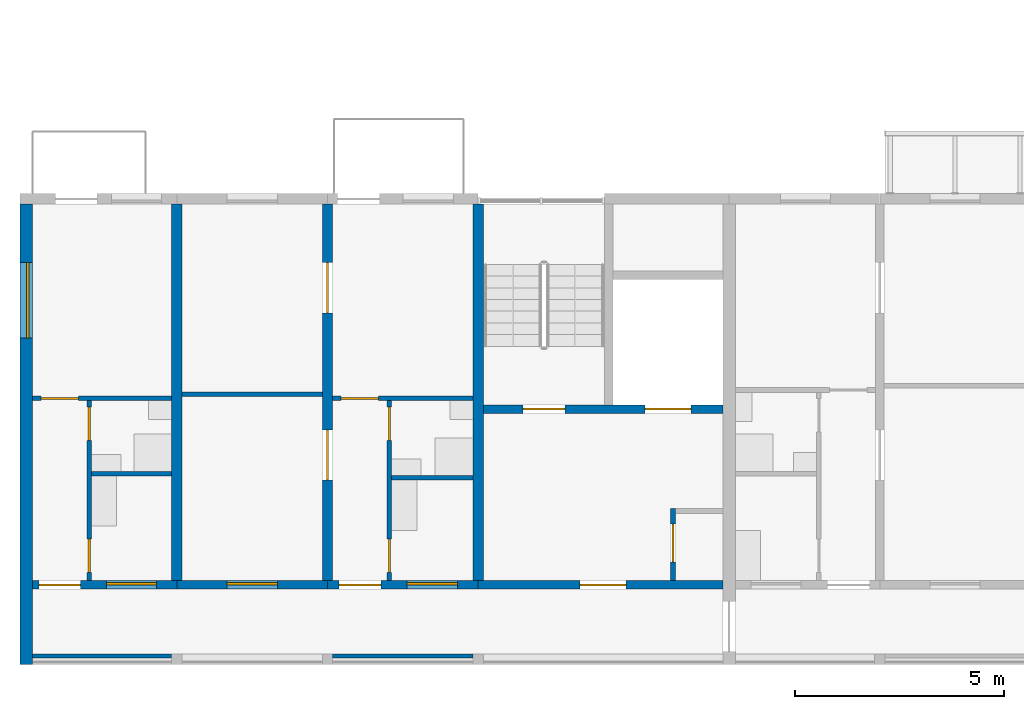
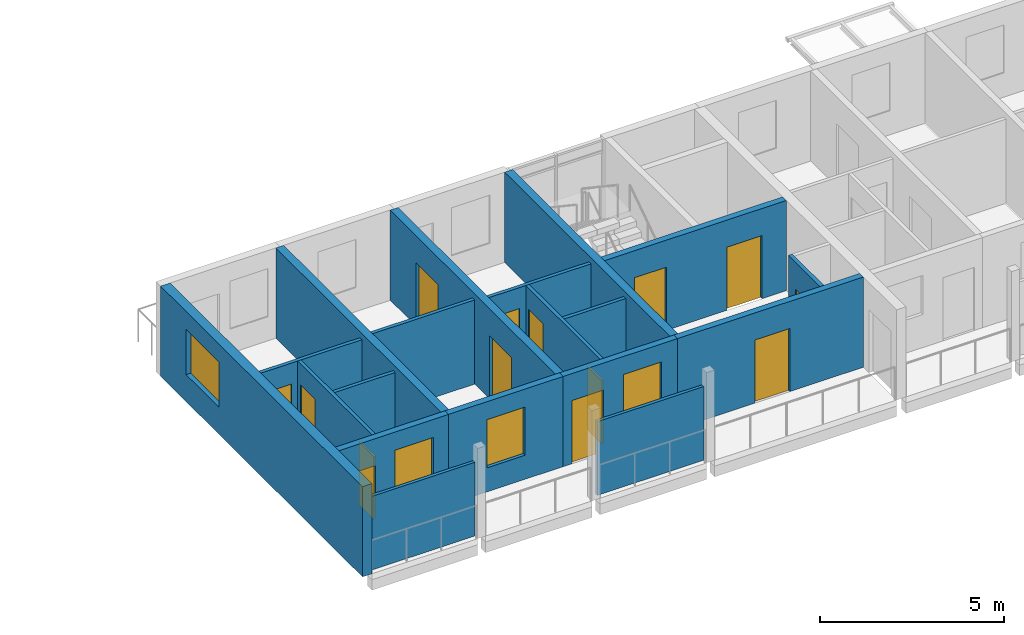
# One storey, part 30 of 98: 19 walls, 14 doors, 4 windows, 18 openings.
"""IFC4 building model written with IfcOpenShell, lengths in metres."""

from ifc_helpers import new_model, si_unit, direction, frame, frame_2d, origin, place, context, subcontext, project, spatial, rectangle, extrude, material, layer, layer_set, type_object, element, fill, save


model = new_model("IFC4")

# Units and contexts
model_context = context("Model", 3, precision=1e-05, world=origin(), true_north=direction((0.0, 1.0)))
body_context = subcontext(model_context, "Body", "Model", "MODEL_VIEW")
ifc_project = project(units=[si_unit("LENGTHUNIT", "METRE"), si_unit("AREAUNIT", "SQUARE_METRE"), si_unit("VOLUMEUNIT", "CUBIC_METRE"), si_unit("PLANEANGLEUNIT", "RADIAN"), si_unit("MASSUNIT", "GRAM", prefix="KILO")], contexts=[model_context])

# Site, building, storey
site_placement = place(None, origin())
site = spatial("IfcSite", under=ifc_project, at=site_placement, CompositionType="ELEMENT")
building_placement = place(site_placement, origin())
building = spatial("IfcBuilding", under=site, at=building_placement, Name="Ridgestep Commons", CompositionType="ELEMENT")
storey_placement = place(building_placement, frame((0.0, 0.0, 12.0)))
storey = spatial("IfcBuildingStorey", under=building, at=storey_placement, Name="L04", CompositionType="ELEMENT", Elevation=12.0)

# Wall
ifc_material_1 = material(Name="Concrete C30/37", Category="concrete")
ifc_layer_1 = layer(ifc_material_1, 0.25)
ifc_layer_set_1 = layer_set([ifc_layer_1], Name="Core cross wall 250")
wall_type_1 = type_object("IfcWallType", Name="Core cross wall 250", PredefinedType="SHEAR", material=ifc_layer_set_1)
wall_1_placement = place(storey_placement, frame((22.800048828125, 13.75, 0.0), z_axis=(0.0, 0.0, 1.0), x_axis=(0.0, 1.0, 0.0)))
element("IfcWall", 1, at=wall_1_placement, inside=storey, type_object=wall_type_1, Name="Cross wall A-04-0228", PredefinedType="SHEAR", context=body_context, shape_type="SweptSolid", body=[
    extrude(rectangle(XDim=9.0, YDim=0.25, at=frame_2d((4.5, 0.0))), origin(), (0.0, 0.0, 1.0), 3.0),
])

# Wall, opening, door
ifc_material_2 = material(Name="Concrete C30/37", Category="concrete")
ifc_layer_2 = layer(ifc_material_2, 0.199951171875)
ifc_layer_set_2 = layer_set([ifc_layer_2], Name="Core south wall 200")
wall_type_2 = type_object("IfcWallType", Name="Core south wall 200", PredefinedType="SHEAR", material=ifc_layer_set_2)
wall_2_placement = place(storey_placement, frame((22.800048828125, 13.64990234375, 0.0), z_axis=(0.0, 0.0, 1.0), x_axis=(1.0, 0.0, 0.0)))
wall_2 = element("IfcWall", 2, at=wall_2_placement, inside=storey, type_object=wall_type_2, Name="Core south wall A1C L04", PredefinedType="SHEAR", context=body_context, shape_type="SweptSolid", body=[
    extrude(rectangle(XDim=5.849853515625, YDim=0.199951171875, at=frame_2d((2.9248046875, 0.0))), origin(), (0.0, 0.0, 1.0), 3.0),
])
opening_1_placement = place(wall_2_placement, frame((2.4375, 0.0, 0.0)))
opening_1 = element("IfcOpeningElement", 3, at=opening_1_placement, cuts=wall_2, Name="Opening A1C/04/1", PredefinedType="OPENING", context=body_context, shape_type="SweptSolid", body=[
    extrude(rectangle(XDim=1.10009765625, YDim=2.10009765625, at=frame_2d((0.550048828125, 1.050048828125))), frame((0.0, 0.10986328125, 0.0), z_axis=(0.0, -1.0, 0.0), x_axis=(1.0, 0.0, 0.0)), (0.0, 0.0, 1.0), 0.219970703125),
])
ifc_material_3 = material(Name="Steel fire door", Category="steel")
door_type_1 = type_object("IfcDoorType", Name="Lobby door 1100 x 2100 FD60", OperationType="NOTDEFINED", PredefinedType="DOOR", material=ifc_material_3)
door_1_placement = place(opening_1_placement, origin())
door_1 = element("IfcDoor", 4, at=door_1_placement, inside=storey, type_object=door_type_1, Name="Lobby door A1C/04/1", OperationType="SINGLE_SWING_LEFT", OverallHeight=2.10009765625, OverallWidth=1.10009765625, PredefinedType="DOOR", context=body_context, shape_type="SweptSolid", body=[
    extrude(rectangle(XDim=1.10009765625, YDim=2.10009765625, at=frame_2d((0.550048828125, 1.050048828125))), frame((0.0, 0.02490234375, 0.0), z_axis=(0.0, -1.0, 0.0), x_axis=(1.0, 0.0, 0.0)), (0.0, 0.0, 1.0), 0.050048828125),
])
fill(opening_1, door_1)

ifc_material_4 = material(Name="Concrete C30/37", Category="concrete")
ifc_layer_3 = layer(ifc_material_4, 0.1201171875)
ifc_layer_set_3 = layer_set([ifc_layer_3], Name="Core wall 120")
wall_type_3 = type_object("IfcWallType", Name="Core wall 120", PredefinedType="SHEAR", material=ifc_layer_set_3)
wall_3_placement = place(storey_placement, frame((27.4599609375, 13.75, 0.0), z_axis=(0.0, 0.0, 1.0), x_axis=(0.0, 1.0, 0.0)))
wall_3 = element("IfcWall", 5, at=wall_3_placement, inside=storey, type_object=wall_type_3, Name="Core riser w wall A1C L04", PredefinedType="SHEAR", context=body_context, shape_type="SweptSolid", body=[
    extrude(rectangle(XDim=1.719970703125, YDim=0.1201171875, at=frame_2d((0.85986328125, 0.0))), origin(), (0.0, 0.0, 1.0), 3.0),
])
opening_2_placement = place(wall_3_placement, frame((0.449951171875, 0.0, 0.0)))
opening_2 = element("IfcOpeningElement", 6, at=opening_2_placement, cuts=wall_3, Name="Opening A1C/04/4", PredefinedType="OPENING", context=body_context, shape_type="SweptSolid", body=[
    extrude(rectangle(XDim=0.89990234375, YDim=2.10009765625, at=frame_2d((0.449951171875, 1.050048828125))), frame((0.0, 0.070068359375, 0.0), z_axis=(0.0, -1.0, 0.0), x_axis=(1.0, 0.0, 0.0)), (0.0, 0.0, 1.0), 0.14013671875),
])
ifc_material_5 = material(Name="Steel fire door", Category="steel")
door_type_2 = type_object("IfcDoorType", Name="Riser door 900 x 2100 FD60", OperationType="NOTDEFINED", PredefinedType="DOOR", material=ifc_material_5)
door_2_placement = place(opening_2_placement, origin())
door_2 = element("IfcDoor", 7, at=door_2_placement, inside=storey, type_object=door_type_2, Name="Riser door A1C/04/4", OperationType="SINGLE_SWING_LEFT", OverallHeight=2.10009765625, OverallWidth=0.89990234375, PredefinedType="DOOR", context=body_context, shape_type="SweptSolid", body=[
    extrude(rectangle(XDim=0.89990234375, YDim=2.10009765625, at=frame_2d((0.449951171875, 1.050048828125))), frame((0.0, 0.02490234375, 0.0), z_axis=(0.0, -1.0, 0.0), x_axis=(1.0, 0.0, 0.0)), (0.0, 0.0, 1.0), 0.050048828125),
])
fill(opening_2, door_2)

# Wall, openings, doors
ifc_material_6 = material(Name="Concrete C30/37", Category="concrete")
ifc_layer_4 = layer(ifc_material_6, 0.199951171875)
ifc_layer_set_4 = layer_set([ifc_layer_4], Name="Core wall 200")
wall_type_4 = type_object("IfcWallType", Name="Core wall 200", PredefinedType="SHEAR", material=ifc_layer_set_4)
wall_4_placement = place(storey_placement, frame((22.925048828125, 17.85009765625, 0.0), z_axis=(0.0, 0.0, 1.0), x_axis=(1.0, 0.0, 0.0)))
wall_4 = element("IfcWall", 8, at=wall_4_placement, inside=storey, type_object=wall_type_4, Name="Core lobby wall A1C L04", PredefinedType="SHEAR", context=body_context, shape_type="SweptSolid", body=[
    extrude(rectangle(XDim=5.724853515625, YDim=0.199951171875, at=frame_2d((2.8623046875, 0.0))), origin(), (0.0, 0.0, 1.0), 3.0),
])
opening_3_placement = place(wall_4_placement, frame((0.949951171875, 0.0, 0.0)))
opening_3 = element("IfcOpeningElement", 9, at=opening_3_placement, cuts=wall_4, Name="Opening A1C/04/2", PredefinedType="OPENING", context=body_context, shape_type="SweptSolid", body=[
    extrude(rectangle(XDim=1.0, YDim=2.10009765625, at=frame_2d((0.5, 1.050048828125))), frame((0.0, 0.10986328125, 0.0), z_axis=(0.0, -1.0, 0.0), x_axis=(1.0, 0.0, 0.0)), (0.0, 0.0, 1.0), 0.219970703125),
])
opening_4_placement = place(wall_4_placement, frame((3.862548828125, 0.0, 0.0)))
opening_4 = element("IfcOpeningElement", 10, at=opening_4_placement, cuts=wall_4, Name="Opening A1C/04/3", PredefinedType="OPENING", context=body_context, shape_type="SweptSolid", body=[
    extrude(rectangle(XDim=1.10009765625, YDim=2.10009765625, at=frame_2d((0.550048828125, 1.050048828125))), frame((0.0, 0.10986328125, 0.0), z_axis=(0.0, -1.0, 0.0), x_axis=(1.0, 0.0, 0.0)), (0.0, 0.0, 1.0), 0.219970703125),
])
ifc_material_7 = material(Name="Stainless steel", Category="steel")
door_type_3 = type_object("IfcDoorType", Name="Lift landing door 1100 x 2100 FD60", OperationType="DOUBLE_DOOR_SLIDING", PredefinedType="DOOR", material=ifc_material_7)
door_3_placement = place(opening_4_placement, origin())
door_3 = element("IfcDoor", 11, at=door_3_placement, inside=storey, type_object=door_type_3, Name="Landing door LD A1C L04", OperationType="DOUBLE_DOOR_SLIDING", OverallHeight=2.10009765625, OverallWidth=1.10009765625, PredefinedType="DOOR", context=body_context, shape_type="SweptSolid", body=[
    extrude(rectangle(XDim=1.10009765625, YDim=2.10009765625, at=frame_2d((0.550048828125, 1.050048828125))), frame((0.0, 0.02490234375, 0.0), z_axis=(0.0, -1.0, 0.0), x_axis=(1.0, 0.0, 0.0)), (0.0, 0.0, 1.0), 0.050048828125),
])
fill(opening_4, door_3)
ifc_material_8 = material(Name="Steel fire door", Category="steel")
door_type_4 = type_object("IfcDoorType", Name="Stair door 1000 x 2100 FD60", OperationType="NOTDEFINED", PredefinedType="DOOR", material=ifc_material_8)
door_4_placement = place(opening_3_placement, origin())
door_4 = element("IfcDoor", 12, at=door_4_placement, inside=storey, type_object=door_type_4, Name="Stair door A1C/04/2", OperationType="SINGLE_SWING_RIGHT", OverallHeight=2.10009765625, OverallWidth=1.0, PredefinedType="DOOR", context=body_context, shape_type="SweptSolid", body=[
    extrude(rectangle(XDim=1.0, YDim=2.10009765625, at=frame_2d((0.5, 1.050048828125))), frame((0.0, 0.02490234375, 0.0), z_axis=(0.0, -1.0, 0.0), x_axis=(1.0, 0.0, 0.0)), (0.0, 0.0, 1.0), 0.050048828125),
])
fill(opening_3, door_4)

# Wall
ifc_material_9 = material(Name="Precast concrete C40/50", Category="concrete")
ifc_layer_5 = layer(ifc_material_9, 0.25)
ifc_layer_set_5 = layer_set([ifc_layer_5], Name="Cross wall 250")
wall_type_5 = type_object("IfcWallType", Name="Cross wall 250", PredefinedType="SHEAR", material=ifc_layer_set_5)
wall_5_placement = place(storey_placement, frame((15.60009765625, 13.75, 0.0), z_axis=(0.0, 0.0, 1.0), x_axis=(0.0, 1.0, 0.0)))
element("IfcWall", 13, at=wall_5_placement, inside=storey, type_object=wall_type_5, Name="Cross wall A-04-0156", PredefinedType="SHEAR", context=body_context, shape_type="SweptSolid", body=[
    extrude(rectangle(XDim=9.0, YDim=0.25, at=frame_2d((4.5, 0.0))), origin(), (0.0, 0.0, 1.0), 3.0),
])

# Wall, openings, doors
wall_6_placement = place(storey_placement, frame((19.199951171875, 13.75, 0.0), z_axis=(0.0, 0.0, 1.0), x_axis=(0.0, 1.0, 0.0)))
wall_6 = element("IfcWall", 14, at=wall_6_placement, inside=storey, type_object=wall_type_5, Name="Cross wall A-04-0192", PredefinedType="SHEAR", context=body_context, shape_type="SweptSolid", body=[
    extrude(rectangle(XDim=9.0, YDim=0.25, at=frame_2d((4.5, 0.0))), origin(), (0.0, 0.0, 1.0), 3.0),
])
opening_5_placement = place(wall_6_placement, frame((2.39990234375, 0.0, 0.0)))
opening_5 = element("IfcOpeningElement", 15, at=opening_5_placement, cuts=wall_6, Name="Opening A1-04b/5", PredefinedType="OPENING", context=body_context, shape_type="SweptSolid", body=[
    extrude(rectangle(XDim=1.199951171875, YDim=2.10009765625, at=frame_2d((0.60009765625, 1.050048828125))), frame((0.0, 0.135009765625, 0.0), z_axis=(0.0, -1.0, 0.0), x_axis=(1.0, 0.0, 0.0)), (0.0, 0.0, 1.0), 0.27001953125),
])
opening_6_placement = place(wall_6_placement, frame((6.39990234375, 0.0, 0.0)))
opening_6 = element("IfcOpeningElement", 16, at=opening_6_placement, cuts=wall_6, Name="Opening A1-04b/6", PredefinedType="OPENING", context=body_context, shape_type="SweptSolid", body=[
    extrude(rectangle(XDim=1.199951171875, YDim=2.10009765625, at=frame_2d((0.60009765625, 1.050048828125))), frame((0.0, 0.135009765625, 0.0), z_axis=(0.0, -1.0, 0.0), x_axis=(1.0, 0.0, 0.0)), (0.0, 0.0, 1.0), 0.27001953125),
])
ifc_material_10 = material(Name="Timber door leaf", Category="wood")
door_type_5 = type_object("IfcDoorType", Name="Double door 1200 x 2100", OperationType="DOUBLE_DOOR_SINGLE_SWING", PredefinedType="DOOR", material=ifc_material_10)
door_5_placement = place(opening_5_placement, origin())
door_5 = element("IfcDoor", 17, at=door_5_placement, inside=storey, type_object=door_type_5, Name="Double door A1-04b/5", OperationType="DOUBLE_DOOR_SINGLE_SWING", OverallHeight=2.10009765625, OverallWidth=1.199951171875, PredefinedType="DOOR", context=body_context, shape_type="SweptSolid", body=[
    extrude(rectangle(XDim=1.199951171875, YDim=2.10009765625, at=frame_2d((0.60009765625, 1.050048828125))), frame((0.0, 0.02490234375, 0.0), z_axis=(0.0, -1.0, 0.0), x_axis=(1.0, 0.0, 0.0)), (0.0, 0.0, 1.0), 0.050048828125),
])
fill(opening_5, door_5)
door_6_placement = place(opening_6_placement, origin())
door_6 = element("IfcDoor", 18, at=door_6_placement, inside=storey, type_object=door_type_5, Name="Double door A1-04b/6", OperationType="DOUBLE_DOOR_SINGLE_SWING", OverallHeight=2.10009765625, OverallWidth=1.199951171875, PredefinedType="DOOR", context=body_context, shape_type="SweptSolid", body=[
    extrude(rectangle(XDim=1.199951171875, YDim=2.10009765625, at=frame_2d((0.60009765625, 1.050048828125))), frame((0.0, 0.02490234375, 0.0), z_axis=(0.0, -1.0, 0.0), x_axis=(1.0, 0.0, 0.0)), (0.0, 0.0, 1.0), 0.050048828125),
])
fill(opening_6, door_6)

# Wall, opening, window
ifc_material_11 = material(Name="Precast concrete C40/50", Category="concrete")
ifc_layer_6 = layer(ifc_material_11, 0.300048828125)
ifc_layer_set_6 = layer_set([ifc_layer_6], Name="Exposed division wall 300")
wall_type_6 = type_object("IfcWallType", Name="Exposed division wall 300", PredefinedType="SHEAR", material=ifc_layer_set_6)
wall_7_placement = place(storey_placement, frame((12.0, 11.75, 0.0), z_axis=(0.0, 0.0, 1.0), x_axis=(0.0, 1.0, 0.0)))
wall_7 = element("IfcWall", 19, at=wall_7_placement, inside=storey, type_object=wall_type_6, Name="Cross wall A-04-0120", PredefinedType="SHEAR", context=body_context, shape_type="SweptSolid", body=[
    extrude(rectangle(XDim=11.0, YDim=0.300048828125, at=frame_2d((5.5, 0.0))), origin(), (0.0, 0.0, 1.0), 3.0),
])
opening_7_placement = place(wall_7_placement, frame((7.804931640625, 0.0, 0.89990234375)))
opening_7 = element("IfcOpeningElement", 20, at=opening_7_placement, cuts=wall_7, Name="Opening W20", PredefinedType="OPENING", context=body_context, shape_type="SweptSolid", body=[
    extrude(rectangle(XDim=1.800048828125, YDim=1.5, at=frame_2d((0.89990234375, 0.75))), frame((0.0, 0.159912109375, 0.0), z_axis=(0.0, -1.0, 0.0), x_axis=(1.0, 0.0, 0.0)), (0.0, 0.0, 1.0), 0.320068359375),
])
ifc_material_12 = material(Name="Aluminium 6063-T6 and glass", Category="aluminium")
window_type_1 = type_object("IfcWindowType", Name="Flat window 1800 x 1500", PartitioningType="DOUBLE_PANEL_VERTICAL", PredefinedType="WINDOW", material=ifc_material_12)
window_1_placement = place(opening_7_placement, origin())
window_1 = element("IfcWindow", 21, at=window_1_placement, inside=storey, type_object=window_type_1, Name="Window A1-04a 3", OverallHeight=1.5, OverallWidth=1.800048828125, PartitioningType="SINGLE_PANEL", PredefinedType="WINDOW", context=body_context, shape_type="SweptSolid", body=[
    extrude(rectangle(XDim=1.800048828125, YDim=1.5, at=frame_2d((0.89990234375, 0.75))), frame((0.0, 0.0, 0.0), z_axis=(0.0, -1.0, 0.0), x_axis=(1.0, 0.0, 0.0)), (0.0, 0.0, 1.0), 0.06005859375),
])
fill(opening_7, window_1)

# Wall, openings, doors
ifc_material_13 = material(Name="Common brick 110 mm", Category="masonry")
ifc_layer_7 = layer(ifc_material_13, 0.110107421875)
ifc_layer_set_7 = layer_set([ifc_layer_7], Name="Partition 110")
wall_type_7 = type_object("IfcWallType", Name="Partition 110", PredefinedType="PARTITIONING", material=ifc_layer_set_7)
wall_8_placement = place(storey_placement, frame((13.5048828125, 13.75, 0.0), z_axis=(0.0, 0.0, 1.0), x_axis=(0.0, 1.0, 0.0)))
wall_8 = element("IfcWall", 22, at=wall_8_placement, inside=storey, type_object=wall_type_7, Name="Partition A1-04a", PredefinedType="PARTITIONING", context=body_context, shape_type="SweptSolid", body=[
    extrude(rectangle(XDim=4.300048828125, YDim=0.110107421875, at=frame_2d((2.14990234375, 0.0))), origin(), (0.0, 0.0, 1.0), 2.800048828125),
])
opening_8_placement = place(wall_8_placement, frame((0.199951171875, 0.0, 0.0)))
opening_8 = element("IfcOpeningElement", 23, at=opening_8_placement, cuts=wall_8, Name="Opening A1-04a/2", PredefinedType="OPENING", context=body_context, shape_type="SweptSolid", body=[
    extrude(rectangle(XDim=0.800048828125, YDim=2.10009765625, at=frame_2d((0.39990234375, 1.050048828125))), frame((0.0, 0.06494140625, 0.0), z_axis=(0.0, -1.0, 0.0), x_axis=(1.0, 0.0, 0.0)), (0.0, 0.0, 1.0), 0.130126953125),
])
opening_9_placement = place(wall_8_placement, frame((3.35009765625, 0.0, 0.0)))
opening_9 = element("IfcOpeningElement", 24, at=opening_9_placement, cuts=wall_8, Name="Opening A1-04a/3", PredefinedType="OPENING", context=body_context, shape_type="SweptSolid", body=[
    extrude(rectangle(XDim=0.800048828125, YDim=2.10009765625, at=frame_2d((0.39990234375, 1.050048828125))), frame((0.0, 0.06494140625, 0.0), z_axis=(0.0, -1.0, 0.0), x_axis=(1.0, 0.0, 0.0)), (0.0, 0.0, 1.0), 0.130126953125),
])
ifc_material_14 = material(Name="Timber door leaf", Category="wood")
door_type_6 = type_object("IfcDoorType", Name="Internal door 800 x 2100", OperationType="NOTDEFINED", PredefinedType="DOOR", material=ifc_material_14)
door_7_placement = place(opening_8_placement, origin())
door_7 = element("IfcDoor", 25, at=door_7_placement, inside=storey, type_object=door_type_6, Name="Internal door A1-04a/2", OperationType="SINGLE_SWING_RIGHT", OverallHeight=2.10009765625, OverallWidth=0.800048828125, PredefinedType="DOOR", context=body_context, shape_type="SweptSolid", body=[
    extrude(rectangle(XDim=0.800048828125, YDim=2.10009765625, at=frame_2d((0.39990234375, 1.050048828125))), frame((0.0, 0.02490234375, 0.0), z_axis=(0.0, -1.0, 0.0), x_axis=(1.0, 0.0, 0.0)), (0.0, 0.0, 1.0), 0.050048828125),
])
fill(opening_8, door_7)
door_8_placement = place(opening_9_placement, origin())
door_8 = element("IfcDoor", 26, at=door_8_placement, inside=storey, type_object=door_type_6, Name="Internal door A1-04a/3", OperationType="SINGLE_SWING_LEFT", OverallHeight=2.10009765625, OverallWidth=0.800048828125, PredefinedType="DOOR", context=body_context, shape_type="SweptSolid", body=[
    extrude(rectangle(XDim=0.800048828125, YDim=2.10009765625, at=frame_2d((0.39990234375, 1.050048828125))), frame((0.0, 0.02490234375, 0.0), z_axis=(0.0, -1.0, 0.0), x_axis=(1.0, 0.0, 0.0)), (0.0, 0.0, 1.0), 0.050048828125),
])
fill(opening_9, door_8)

# Wall
wall_9_placement = place(storey_placement, frame((13.56005859375, 16.304931640625, 0.0), z_axis=(0.0, 0.0, 1.0), x_axis=(1.0, 0.0, 0.0)))
element("IfcWall", 27, at=wall_9_placement, inside=storey, type_object=wall_type_7, Name="Partition A1-04a", PredefinedType="PARTITIONING", context=body_context, shape_type="SweptSolid", body=[
    extrude(rectangle(XDim=1.9150390625, YDim=0.110107421875, at=frame_2d((0.95751953125, 0.0))), origin(), (0.0, 0.0, 1.0), 2.800048828125),
])

# Wall, opening, door
wall_10_placement = place(storey_placement, frame((12.14990234375, 18.10498046875, 0.0), z_axis=(0.0, 0.0, 1.0), x_axis=(1.0, 0.0, 0.0)))
wall_10 = element("IfcWall", 28, at=wall_10_placement, inside=storey, type_object=wall_type_7, Name="Partition A1-04a", PredefinedType="PARTITIONING", context=body_context, shape_type="SweptSolid", body=[
    extrude(rectangle(XDim=3.3251953125, YDim=0.110107421875, at=frame_2d((1.66259765625, 0.0))), origin(), (0.0, 0.0, 1.0), 2.800048828125),
])
opening_10_placement = place(wall_10_placement, frame((0.199951171875, 0.0, 0.0)))
opening_10 = element("IfcOpeningElement", 29, at=opening_10_placement, cuts=wall_10, Name="Opening A1-04a/4", PredefinedType="OPENING", context=body_context, shape_type="SweptSolid", body=[
    extrude(rectangle(XDim=0.89990234375, YDim=2.10009765625, at=frame_2d((0.449951171875, 1.050048828125))), frame((0.0, 0.06494140625, 0.0), z_axis=(0.0, -1.0, 0.0), x_axis=(1.0, 0.0, 0.0)), (0.0, 0.0, 1.0), 0.130126953125),
])
ifc_material_15 = material(Name="Timber door leaf", Category="wood")
door_type_7 = type_object("IfcDoorType", Name="Internal door 900 x 2100", OperationType="NOTDEFINED", PredefinedType="DOOR", material=ifc_material_15)
door_9_placement = place(opening_10_placement, origin())
door_9 = element("IfcDoor", 30, at=door_9_placement, inside=storey, type_object=door_type_7, Name="Internal door A1-04a/4", OperationType="SINGLE_SWING_LEFT", OverallHeight=2.10009765625, OverallWidth=0.89990234375, PredefinedType="DOOR", context=body_context, shape_type="SweptSolid", body=[
    extrude(rectangle(XDim=0.89990234375, YDim=2.10009765625, at=frame_2d((0.449951171875, 1.050048828125))), frame((0.0, 0.02490234375, 0.0), z_axis=(0.0, -1.0, 0.0), x_axis=(1.0, 0.0, 0.0)), (0.0, 0.0, 1.0), 0.050048828125),
])
fill(opening_10, door_9)

# Wall, openings, doors
wall_11_placement = place(storey_placement, frame((20.679931640625, 13.75, 0.0), z_axis=(0.0, 0.0, 1.0), x_axis=(0.0, 1.0, 0.0)))
wall_11 = element("IfcWall", 31, at=wall_11_placement, inside=storey, type_object=wall_type_7, Name="Partition A1-04b", PredefinedType="PARTITIONING", context=body_context, shape_type="SweptSolid", body=[
    extrude(rectangle(XDim=4.300048828125, YDim=0.110107421875, at=frame_2d((2.14990234375, 0.0))), origin(), (0.0, 0.0, 1.0), 2.800048828125),
])
opening_11_placement = place(wall_11_placement, frame((0.199951171875, 0.0, 0.0)))
opening_11 = element("IfcOpeningElement", 32, at=opening_11_placement, cuts=wall_11, Name="Opening A1-04b/2", PredefinedType="OPENING", context=body_context, shape_type="SweptSolid", body=[
    extrude(rectangle(XDim=0.800048828125, YDim=2.10009765625, at=frame_2d((0.39990234375, 1.050048828125))), frame((0.0, 0.06494140625, 0.0), z_axis=(0.0, -1.0, 0.0), x_axis=(1.0, 0.0, 0.0)), (0.0, 0.0, 1.0), 0.130126953125),
])
opening_12_placement = place(wall_11_placement, frame((3.35009765625, 0.0, 0.0)))
opening_12 = element("IfcOpeningElement", 33, at=opening_12_placement, cuts=wall_11, Name="Opening A1-04b/3", PredefinedType="OPENING", context=body_context, shape_type="SweptSolid", body=[
    extrude(rectangle(XDim=0.800048828125, YDim=2.10009765625, at=frame_2d((0.39990234375, 1.050048828125))), frame((0.0, 0.06494140625, 0.0), z_axis=(0.0, -1.0, 0.0), x_axis=(1.0, 0.0, 0.0)), (0.0, 0.0, 1.0), 0.130126953125),
])
door_10_placement = place(opening_11_placement, origin())
door_10 = element("IfcDoor", 34, at=door_10_placement, inside=storey, type_object=door_type_6, Name="Internal door A1-04b/2", OperationType="SINGLE_SWING_RIGHT", OverallHeight=2.10009765625, OverallWidth=0.800048828125, PredefinedType="DOOR", context=body_context, shape_type="SweptSolid", body=[
    extrude(rectangle(XDim=0.800048828125, YDim=2.10009765625, at=frame_2d((0.39990234375, 1.050048828125))), frame((0.0, 0.02490234375, 0.0), z_axis=(0.0, -1.0, 0.0), x_axis=(1.0, 0.0, 0.0)), (0.0, 0.0, 1.0), 0.050048828125),
])
fill(opening_11, door_10)
door_11_placement = place(opening_12_placement, origin())
door_11 = element("IfcDoor", 35, at=door_11_placement, inside=storey, type_object=door_type_6, Name="Internal door A1-04b/3", OperationType="SINGLE_SWING_LEFT", OverallHeight=2.10009765625, OverallWidth=0.800048828125, PredefinedType="DOOR", context=body_context, shape_type="SweptSolid", body=[
    extrude(rectangle(XDim=0.800048828125, YDim=2.10009765625, at=frame_2d((0.39990234375, 1.050048828125))), frame((0.0, 0.02490234375, 0.0), z_axis=(0.0, -1.0, 0.0), x_axis=(1.0, 0.0, 0.0)), (0.0, 0.0, 1.0), 0.050048828125),
])
fill(opening_12, door_11)

# Wall
wall_12_placement = place(storey_placement, frame((20.735107421875, 16.205078125, 0.0), z_axis=(0.0, 0.0, 1.0), x_axis=(1.0, 0.0, 0.0)))
element("IfcWall", 36, at=wall_12_placement, inside=storey, type_object=wall_type_7, Name="Partition A1-04b", PredefinedType="PARTITIONING", context=body_context, shape_type="SweptSolid", body=[
    extrude(rectangle(XDim=1.93994140625, YDim=0.110107421875, at=frame_2d((0.969970703125, 0.0))), origin(), (0.0, 0.0, 1.0), 2.800048828125),
])

# Wall, opening, door
wall_13_placement = place(storey_placement, frame((19.324951171875, 18.10498046875, 0.0), z_axis=(0.0, 0.0, 1.0), x_axis=(1.0, 0.0, 0.0)))
wall_13 = element("IfcWall", 37, at=wall_13_placement, inside=storey, type_object=wall_type_7, Name="Partition A1-04b", PredefinedType="PARTITIONING", context=body_context, shape_type="SweptSolid", body=[
    extrude(rectangle(XDim=3.35009765625, YDim=0.110107421875, at=frame_2d((1.675048828125, 0.0))), origin(), (0.0, 0.0, 1.0), 2.800048828125),
])
opening_13_placement = place(wall_13_placement, frame((0.199951171875, 0.0, 0.0)))
opening_13 = element("IfcOpeningElement", 38, at=opening_13_placement, cuts=wall_13, Name="Opening A1-04b/4", PredefinedType="OPENING", context=body_context, shape_type="SweptSolid", body=[
    extrude(rectangle(XDim=0.89990234375, YDim=2.10009765625, at=frame_2d((0.449951171875, 1.050048828125))), frame((0.0, 0.06494140625, 0.0), z_axis=(0.0, -1.0, 0.0), x_axis=(1.0, 0.0, 0.0)), (0.0, 0.0, 1.0), 0.130126953125),
])
door_12_placement = place(opening_13_placement, origin())
door_12 = element("IfcDoor", 39, at=door_12_placement, inside=storey, type_object=door_type_7, Name="Internal door A1-04b/4", OperationType="SINGLE_SWING_RIGHT", OverallHeight=2.10009765625, OverallWidth=0.89990234375, PredefinedType="DOOR", context=body_context, shape_type="SweptSolid", body=[
    extrude(rectangle(XDim=0.89990234375, YDim=2.10009765625, at=frame_2d((0.449951171875, 1.050048828125))), frame((0.0, 0.02490234375, 0.0), z_axis=(0.0, -1.0, 0.0), x_axis=(1.0, 0.0, 0.0)), (0.0, 0.0, 1.0), 0.050048828125),
])
fill(opening_13, door_12)

# Walls
wall_14_placement = place(storey_placement, frame((15.72509765625, 18.205078125, 0.0), z_axis=(0.0, 0.0, 1.0), x_axis=(1.0, 0.0, 0.0)))
element("IfcWall", 40, at=wall_14_placement, inside=storey, type_object=wall_type_7, Name="Partition A1-04b", PredefinedType="PARTITIONING", context=body_context, shape_type="SweptSolid", body=[
    extrude(rectangle(XDim=3.349853515625, YDim=0.110107421875, at=frame_2d((1.6748046875, 0.0))), origin(), (0.0, 0.0, 1.0), 2.800048828125),
])
ifc_material_16 = material(Name="Precast concrete C30/37", Category="concrete")
ifc_layer_8 = layer(ifc_material_16, 0.10009765625)
ifc_layer_set_8 = layer_set([ifc_layer_8], Name="Perforated gallery screen 3325 x 2450 x 100")
wall_type_8 = type_object("IfcWallType", Name="Perforated gallery screen 3325 x 2450 x 100", PredefinedType="SOLIDWALL", material=ifc_layer_set_8)
wall_15_placement = place(storey_placement, frame((12.14990234375, 11.949951171875, 0.0), z_axis=(0.0, 0.0, 1.0), x_axis=(1.0, 0.0, 0.0)))
element("IfcWall", 41, at=wall_15_placement, inside=storey, type_object=wall_type_8, Name="Gallery screen A1T1 04", PredefinedType="SOLIDWALL", context=body_context, shape_type="SweptSolid", body=[
    extrude(rectangle(XDim=3.3251953125, YDim=0.10009765625, at=frame_2d((1.66259765625, 0.0))), origin(), (0.0, 0.0, 1.0), 2.449951171875),
])
ifc_material_17 = material(Name="Precast concrete C30/37", Category="concrete")
ifc_layer_9 = layer(ifc_material_17, 0.10009765625)
ifc_layer_set_9 = layer_set([ifc_layer_9], Name="Perforated gallery screen 3350 x 2450 x 100")
wall_type_9 = type_object("IfcWallType", Name="Perforated gallery screen 3350 x 2450 x 100", PredefinedType="SOLIDWALL", material=ifc_layer_set_9)
wall_16_placement = place(storey_placement, frame((19.324951171875, 11.949951171875, 0.0), z_axis=(0.0, 0.0, 1.0), x_axis=(1.0, 0.0, 0.0)))
element("IfcWall", 42, at=wall_16_placement, inside=storey, type_object=wall_type_9, Name="Gallery screen A1T3 04", PredefinedType="SOLIDWALL", context=body_context, shape_type="SweptSolid", body=[
    extrude(rectangle(XDim=3.35009765625, YDim=0.10009765625, at=frame_2d((1.675048828125, 0.0))), origin(), (0.0, 0.0, 1.0), 2.449951171875),
])

# Wall, openings, door, window
ifc_material_18 = material(Name="Precast concrete C40/50", Category="concrete")
ifc_layer_10 = layer(ifc_material_18, 0.199951171875)
ifc_layer_set_10 = layer_set([ifc_layer_10], Name="South facade panel 200")
wall_type_10 = type_object("IfcWallType", Name="South facade panel 200", PredefinedType="SOLIDWALL", material=ifc_layer_set_10)
wall_17_placement = place(storey_placement, frame((12.14990234375, 13.64990234375, 0.0), z_axis=(0.0, 0.0, 1.0), x_axis=(1.0, 0.0, 0.0)))
wall_17 = element("IfcWall", 43, at=wall_17_placement, inside=storey, type_object=wall_type_10, Name="South panel A1T1 L04", PredefinedType="SOLIDWALL", context=body_context, shape_type="SweptSolid", body=[
    extrude(rectangle(XDim=3.4501953125, YDim=0.199951171875, at=frame_2d((1.72509765625, 0.0))), origin(), (0.0, 0.0, 1.0), 3.0),
])
opening_14_placement = place(wall_17_placement, frame((1.767578125, 0.0, 1.10009765625)))
opening_14 = element("IfcOpeningElement", 44, at=opening_14_placement, cuts=wall_17, Name="Opening W08", PredefinedType="OPENING", context=body_context, shape_type="SweptSolid", body=[
    extrude(rectangle(XDim=1.199951171875, YDim=1.300048828125, at=frame_2d((0.60009765625, 0.64990234375))), frame((0.0, 0.10986328125, 0.0), z_axis=(0.0, -1.0, 0.0), x_axis=(1.0, 0.0, 0.0)), (0.0, 0.0, 1.0), 0.219970703125),
])
opening_15_placement = place(wall_17_placement, frame((0.14990234375, 0.0, 0.0)))
opening_15 = element("IfcOpeningElement", 45, at=opening_15_placement, cuts=wall_17, Name="Opening A1-04a/1", PredefinedType="OPENING", context=body_context, shape_type="SweptSolid", body=[
    extrude(rectangle(XDim=1.0, YDim=2.10009765625, at=frame_2d((0.5, 1.050048828125))), frame((0.0, 0.10986328125, 0.0), z_axis=(0.0, -1.0, 0.0), x_axis=(1.0, 0.0, 0.0)), (0.0, 0.0, 1.0), 0.219970703125),
])
ifc_material_19 = material(Name="Timber door leaf", Category="wood")
door_type_8 = type_object("IfcDoorType", Name="Flat entrance door 1000 x 2100 FD30S", OperationType="NOTDEFINED", PredefinedType="DOOR", material=ifc_material_19)
door_13_placement = place(opening_15_placement, origin())
door_13 = element("IfcDoor", 46, at=door_13_placement, inside=storey, type_object=door_type_8, Name="Flat entrance door A1-04a/1", OperationType="SINGLE_SWING_LEFT", OverallHeight=2.10009765625, OverallWidth=1.0, PredefinedType="DOOR", context=body_context, shape_type="SweptSolid", body=[
    extrude(rectangle(XDim=1.0, YDim=2.10009765625, at=frame_2d((0.5, 1.050048828125))), frame((0.0, 0.02490234375, 0.0), z_axis=(0.0, -1.0, 0.0), x_axis=(1.0, 0.0, 0.0)), (0.0, 0.0, 1.0), 0.050048828125),
])
fill(opening_15, door_13)
ifc_material_20 = material(Name="Aluminium 6063-T6 and glass", Category="aluminium")
window_type_2 = type_object("IfcWindowType", Name="Flat window 1200 x 1300", PartitioningType="SINGLE_PANEL", PredefinedType="WINDOW", material=ifc_material_20)
window_2_placement = place(opening_14_placement, origin())
window_2 = element("IfcWindow", 47, at=window_2_placement, inside=storey, type_object=window_type_2, Name="Window A1-04a 1", OverallHeight=1.300048828125, OverallWidth=1.199951171875, PartitioningType="SINGLE_PANEL", PredefinedType="WINDOW", context=body_context, shape_type="SweptSolid", body=[
    extrude(rectangle(XDim=1.199951171875, YDim=1.300048828125, at=frame_2d((0.60009765625, 0.64990234375))), frame((0.0, 0.06005859375, 0.0), z_axis=(0.0, -1.0, 0.0), x_axis=(1.0, 0.0, 0.0)), (0.0, 0.0, 1.0), 0.06005859375),
])
fill(opening_14, window_2)

# Wall, opening, window
wall_18_placement = place(storey_placement, frame((15.60009765625, 13.64990234375, 0.0), z_axis=(0.0, 0.0, 1.0), x_axis=(1.0, 0.0, 0.0)))
wall_18 = element("IfcWall", 48, at=wall_18_placement, inside=storey, type_object=wall_type_10, Name="South panel A1T2 L04", PredefinedType="SOLIDWALL", context=body_context, shape_type="SweptSolid", body=[
    extrude(rectangle(XDim=3.599853515625, YDim=0.199951171875, at=frame_2d((1.7998046875, 0.0))), origin(), (0.0, 0.0, 1.0), 3.0),
])
opening_16_placement = place(wall_18_placement, frame((1.199951171875, 0.0, 0.800048828125)))
opening_16 = element("IfcOpeningElement", 49, at=opening_16_placement, cuts=wall_18, Name="Opening W11", PredefinedType="OPENING", context=body_context, shape_type="SweptSolid", body=[
    extrude(rectangle(XDim=1.199951171875, YDim=1.60009765625, at=frame_2d((0.60009765625, 0.800048828125))), frame((0.0, 0.10986328125, 0.0), z_axis=(0.0, -1.0, 0.0), x_axis=(1.0, 0.0, 0.0)), (0.0, 0.0, 1.0), 0.219970703125),
])
ifc_material_21 = material(Name="Aluminium 6063-T6 and glass", Category="aluminium")
window_type_3 = type_object("IfcWindowType", Name="Flat window 1200 x 1600", PartitioningType="SINGLE_PANEL", PredefinedType="WINDOW", material=ifc_material_21)
window_3_placement = place(opening_16_placement, origin())
window_3 = element("IfcWindow", 50, at=window_3_placement, inside=storey, type_object=window_type_3, Name="Window A1-04b 1", OverallHeight=1.60009765625, OverallWidth=1.199951171875, PartitioningType="SINGLE_PANEL", PredefinedType="WINDOW", context=body_context, shape_type="SweptSolid", body=[
    extrude(rectangle(XDim=1.199951171875, YDim=1.60009765625, at=frame_2d((0.60009765625, 0.800048828125))), frame((0.0, 0.06005859375, 0.0), z_axis=(0.0, -1.0, 0.0), x_axis=(1.0, 0.0, 0.0)), (0.0, 0.0, 1.0), 0.06005859375),
])
fill(opening_16, window_3)

# Wall, openings, door, window
wall_19_placement = place(storey_placement, frame((19.199951171875, 13.64990234375, 0.0), z_axis=(0.0, 0.0, 1.0), x_axis=(1.0, 0.0, 0.0)))
wall_19 = element("IfcWall", 51, at=wall_19_placement, inside=storey, type_object=wall_type_10, Name="South panel A1T3 L04", PredefinedType="SOLIDWALL", context=body_context, shape_type="SweptSolid", body=[
    extrude(rectangle(XDim=3.60009765625, YDim=0.199951171875, at=frame_2d((1.800048828125, 0.0))), origin(), (0.0, 0.0, 1.0), 3.0),
])
opening_17_placement = place(wall_19_placement, frame((1.905029296875, 0.0, 1.10009765625)))
opening_17 = element("IfcOpeningElement", 52, at=opening_17_placement, cuts=wall_19, Name="Opening W08", PredefinedType="OPENING", context=body_context, shape_type="SweptSolid", body=[
    extrude(rectangle(XDim=1.199951171875, YDim=1.300048828125, at=frame_2d((0.60009765625, 0.64990234375))), frame((0.0, 0.10986328125, 0.0), z_axis=(0.0, -1.0, 0.0), x_axis=(1.0, 0.0, 0.0)), (0.0, 0.0, 1.0), 0.219970703125),
])
opening_18_placement = place(wall_19_placement, frame((0.27490234375, 0.0, 0.0)))
opening_18 = element("IfcOpeningElement", 53, at=opening_18_placement, cuts=wall_19, Name="Opening A1-04b/1", PredefinedType="OPENING", context=body_context, shape_type="SweptSolid", body=[
    extrude(rectangle(XDim=1.0, YDim=2.10009765625, at=frame_2d((0.5, 1.050048828125))), frame((0.0, 0.10986328125, 0.0), z_axis=(0.0, -1.0, 0.0), x_axis=(1.0, 0.0, 0.0)), (0.0, 0.0, 1.0), 0.219970703125),
])
door_14_placement = place(opening_18_placement, origin())
door_14 = element("IfcDoor", 54, at=door_14_placement, inside=storey, type_object=door_type_8, Name="Flat entrance door A1-04b/1", OperationType="SINGLE_SWING_LEFT", OverallHeight=2.10009765625, OverallWidth=1.0, PredefinedType="DOOR", context=body_context, shape_type="SweptSolid", body=[
    extrude(rectangle(XDim=1.0, YDim=2.10009765625, at=frame_2d((0.5, 1.050048828125))), frame((0.0, 0.02490234375, 0.0), z_axis=(0.0, -1.0, 0.0), x_axis=(1.0, 0.0, 0.0)), (0.0, 0.0, 1.0), 0.050048828125),
])
fill(opening_18, door_14)
window_4_placement = place(opening_17_placement, origin())
window_4 = element("IfcWindow", 55, at=window_4_placement, inside=storey, type_object=window_type_2, Name="Window A1-04b 3", OverallHeight=1.300048828125, OverallWidth=1.199951171875, PartitioningType="SINGLE_PANEL", PredefinedType="WINDOW", context=body_context, shape_type="SweptSolid", body=[
    extrude(rectangle(XDim=1.199951171875, YDim=1.300048828125, at=frame_2d((0.60009765625, 0.64990234375))), frame((0.0, 0.06005859375, 0.0), z_axis=(0.0, -1.0, 0.0), x_axis=(1.0, 0.0, 0.0)), (0.0, 0.0, 1.0), 0.06005859375),
])
fill(opening_17, window_4)

save(model, "model.ifc")
